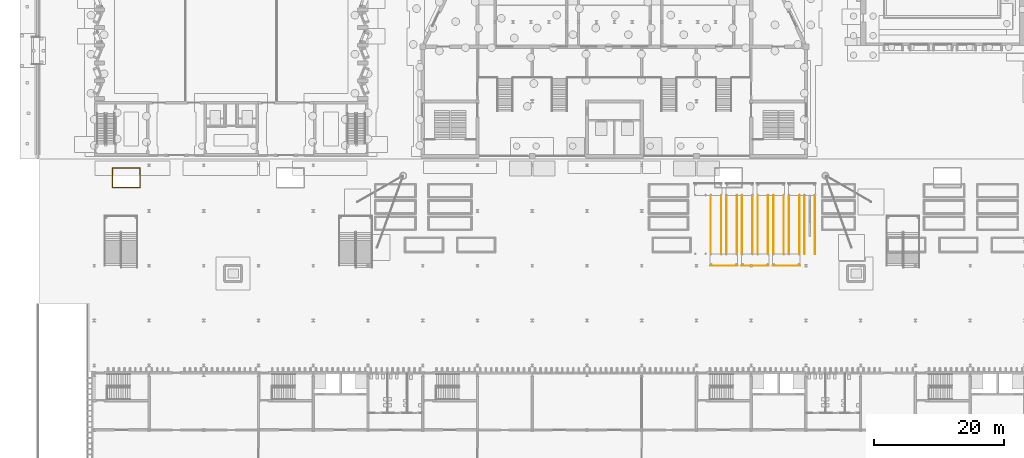
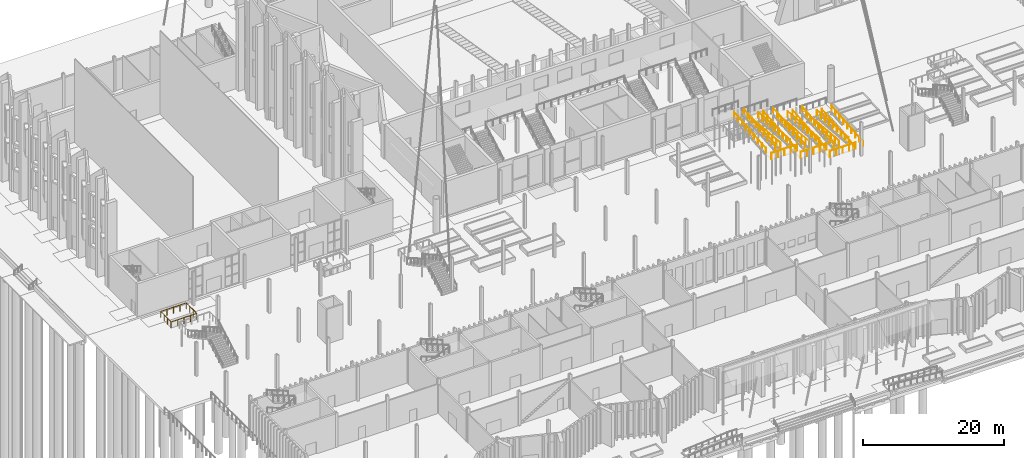
# One storey, part 92 of 108: 18 railings.
"""IFC4 building model written with IfcOpenShell, lengths in metres."""

from ifc_helpers import new_model, si_unit, direction, frame, origin, origin_2d, place, context, subcontext, project, spatial, circle, extrude, material, type_object, element, save


model = new_model("IFC4")

# Units and contexts
model_context = context("Model", 3, precision=1e-05, world=origin(), true_north=direction((0.0, 1.0)))
body_context = subcontext(model_context, "Body", "Model", "MODEL_VIEW")
ifc_project = project(units=[si_unit("LENGTHUNIT", "METRE"), si_unit("AREAUNIT", "SQUARE_METRE"), si_unit("VOLUMEUNIT", "CUBIC_METRE"), si_unit("PLANEANGLEUNIT", "RADIAN"), si_unit("MASSUNIT", "GRAM", prefix="KILO")], contexts=[model_context])

# Site, building, storey
site_placement = place(None, origin())
site = spatial("IfcSite", under=ifc_project, at=site_placement, CompositionType="ELEMENT")
building_placement = place(site_placement, origin())
building = spatial("IfcBuilding", under=site, at=building_placement, Name="Cresset Court Congress Hotel", CompositionType="ELEMENT")
storey_placement = place(building_placement, origin())
storey = spatial("IfcBuildingStorey", under=building, at=storey_placement, Name="L00", CompositionType="ELEMENT", Elevation=0.0)

# Railings
ifc_material_1 = material(Name="Galvanised steel", Category="steel")
railing_type_1 = type_object("IfcRailingType", Name="Guard 1100 steel balusters", PredefinedType="GUARDRAIL", material=ifc_material_1)
railing_1_placement = place(storey_placement, frame((11.199951171875, 54.0, 0.0)))
element("IfcRailing", 1, at=railing_1_placement, inside=storey, type_object=railing_type_1, Name="Well guard 04", PredefinedType="GUARDRAIL", context=body_context, shape_type="SweptSolid", body=[
    extrude(circle(Radius=0.02490234375, at=origin_2d()), frame((0.0, 0.0, 1.0751953125), z_axis=(1.0, 0.0, 0.0), x_axis=(0.0, 1.0, 0.0)), (0.0, 0.0, 1.0), 4.199951171875),
    extrude(circle(Radius=0.02490234375, at=origin_2d()), frame((4.199951171875, 0.0, 1.0751953125), z_axis=(0.0, 1.0, 0.0), x_axis=(-1.0, 0.0, 0.0)), (0.0, 0.0, 1.0), 3.0),
    extrude(circle(Radius=0.02490234375, at=origin_2d()), frame((4.199951171875, 3.0, 1.0751953125), z_axis=(-1.0, 0.0, 0.0), x_axis=(0.0, -1.0, 0.0)), (0.0, 0.0, 1.0), 4.199951171875),
    extrude(circle(Radius=0.02490234375, at=origin_2d()), frame((0.0, 3.0, 1.0751953125), z_axis=(0.0, -1.0, 0.0), x_axis=(1.0, 0.0, 0.0)), (0.0, 0.0, 1.0), 2.93994140625),
    extrude(circle(Radius=0.02001953125, at=origin_2d()), origin(), (0.0, 0.0, 1.0), 1.050048828125),
    extrude(circle(Radius=0.02001953125, at=origin_2d()), frame((1.050048828125, 0.0, 0.0)), (0.0, 0.0, 1.0), 1.050048828125),
    extrude(circle(Radius=0.02001953125, at=origin_2d()), frame((2.10009765625, 0.0, 0.0)), (0.0, 0.0, 1.0), 1.050048828125),
    extrude(circle(Radius=0.02001953125, at=origin_2d()), frame((3.14990234375, 0.0, 0.0)), (0.0, 0.0, 1.0), 1.050048828125),
    extrude(circle(Radius=0.02001953125, at=origin_2d()), frame((4.199951171875, 0.0, 0.0)), (0.0, 0.0, 1.0), 1.050048828125),
    extrude(circle(Radius=0.02001953125, at=origin_2d()), frame((4.199951171875, 1.0, 0.0)), (0.0, 0.0, 1.0), 1.050048828125),
    extrude(circle(Radius=0.02001953125, at=origin_2d()), frame((4.199951171875, 2.0, 0.0)), (0.0, 0.0, 1.0), 1.050048828125),
    extrude(circle(Radius=0.02001953125, at=origin_2d()), frame((4.199951171875, 3.0, 0.0)), (0.0, 0.0, 1.0), 1.050048828125),
    extrude(circle(Radius=0.02001953125, at=origin_2d()), frame((3.14990234375, 3.0, 0.0)), (0.0, 0.0, 1.0), 1.050048828125),
    extrude(circle(Radius=0.02001953125, at=origin_2d()), frame((2.10009765625, 3.0, 0.0)), (0.0, 0.0, 1.0), 1.050048828125),
    extrude(circle(Radius=0.02001953125, at=origin_2d()), frame((1.050048828125, 3.0, 0.0)), (0.0, 0.0, 1.0), 1.050048828125),
    extrude(circle(Radius=0.02001953125, at=origin_2d()), frame((0.0, 3.0, 0.0)), (0.0, 0.0, 1.0), 1.050048828125),
    extrude(circle(Radius=0.02001953125, at=origin_2d()), frame((0.0, 2.02001953125, 0.0)), (0.0, 0.0, 1.0), 1.050048828125),
    extrude(circle(Radius=0.02001953125, at=origin_2d()), frame((0.0, 1.0400390625, 0.0)), (0.0, 0.0, 1.0), 1.050048828125),
    extrude(circle(Radius=0.02001953125, at=origin_2d()), frame((0.0, 0.06005859375, 0.0)), (0.0, 0.0, 1.0), 1.050048828125),
])
railing_2_placement = place(storey_placement, frame((102.89990234375, 42.0, 4.5)))
element("IfcRailing", 2, at=railing_2_placement, inside=storey, type_object=railing_type_1, Name="Ramp landing guard 3", PredefinedType="GUARDRAIL", context=body_context, shape_type="SweptSolid", body=[
    extrude(circle(Radius=0.02490234375, at=origin_2d()), frame((0.0, 0.0, 1.0751953125), z_axis=(1.0, 0.0, 0.0), x_axis=(0.0, 1.0, 0.0)), (0.0, 0.0, 1.0), 4.2001953125),
    extrude(circle(Radius=0.02001953125, at=origin_2d()), origin(), (0.0, 0.0, 1.0), 1.050048828125),
    extrude(circle(Radius=0.02001953125, at=origin_2d()), frame((1.050048828125, 0.0, 0.0)), (0.0, 0.0, 1.0), 1.050048828125),
    extrude(circle(Radius=0.02001953125, at=origin_2d()), frame((2.10009765625, 0.0, 0.0)), (0.0, 0.0, 1.0), 1.050048828125),
    extrude(circle(Radius=0.02001953125, at=origin_2d()), frame((3.150146484375, 0.0, 0.0)), (0.0, 0.0, 1.0), 1.050048828125),
    extrude(circle(Radius=0.02001953125, at=origin_2d()), frame((4.2001953125, 0.0, 0.0)), (0.0, 0.0, 1.0), 1.050048828125),
])
for number, where, name in (
    (3, (107.699951171875, 42.0, 3.0), "Ramp landing guard 5"),
    (4, (112.5, 42.0, 1.5), "Ramp landing guard 7"),
):
    element("IfcRailing", number, at=place(storey_placement, frame(where)), inside=storey, type_object=railing_type_1, Name=name, PredefinedType="GUARDRAIL", context=body_context, shape_type="SweptSolid", body=[
        extrude(circle(Radius=0.02490234375, at=origin_2d()), frame((0.0, 0.0, 1.0751953125), z_axis=(1.0, 0.0, 0.0), x_axis=(0.0, 1.0, 0.0)), (0.0, 0.0, 1.0), 4.199951171875),
        extrude(circle(Radius=0.02001953125, at=origin_2d()), origin(), (0.0, 0.0, 1.0), 1.050048828125),
        extrude(circle(Radius=0.02001953125, at=origin_2d()), frame((1.050048828125, 0.0, 0.0)), (0.0, 0.0, 1.0), 1.050048828125),
        extrude(circle(Radius=0.02001953125, at=origin_2d()), frame((2.10009765625, 0.0, 0.0)), (0.0, 0.0, 1.0), 1.050048828125),
        extrude(circle(Radius=0.02001953125, at=origin_2d()), frame((3.14990234375, 0.0, 0.0)), (0.0, 0.0, 1.0), 1.050048828125),
        extrude(circle(Radius=0.02001953125, at=origin_2d()), frame((4.199951171875, 0.0, 0.0)), (0.0, 0.0, 1.0), 1.050048828125),
    ])
ifc_material_2 = material(Name="Stainless steel", Category="steel")
railing_type_2 = type_object("IfcRailingType", Name="Handrail 900 steel", PredefinedType="HANDRAIL", material=ifc_material_2)
for number, where, name in (
    (5, (103.0, 52.800048828125, 5.25), "Ramp handrail 2L"),
    (6, (104.60009765625, 52.800048828125, 5.25), "Ramp handrail 2R"),
):
    element("IfcRailing", number, at=place(storey_placement, frame(where)), inside=storey, type_object=railing_type_2, Name=name, PredefinedType="HANDRAIL", context=body_context, shape_type="SweptSolid", body=[
        extrude(circle(Radius=0.02490234375, at=origin_2d()), frame((0.0, 0.0, 0.875), z_axis=(0.0, -0.996545758245, -0.083045479854), x_axis=(1.0, 0.0, 0.0)), (0.0, 0.0, 1.0), 9.03125),
        extrude(circle(Radius=0.02001953125, at=origin_2d()), origin(), (0.0, 0.0, 1.0), 0.849853515625),
        extrude(circle(Radius=0.02001953125, at=origin_2d()), frame((0.0, -1.125, -0.09375)), (0.0, 0.0, 1.0), 0.849853515625),
        extrude(circle(Radius=0.02001953125, at=origin_2d()), frame((0.0, -2.25, -0.1875)), (0.0, 0.0, 1.0), 0.849853515625),
        extrude(circle(Radius=0.02001953125, at=origin_2d()), frame((0.0, -3.375, -0.28125)), (0.0, 0.0, 1.0), 0.849853515625),
        extrude(circle(Radius=0.02001953125, at=origin_2d()), frame((0.0, -4.5, -0.375)), (0.0, 0.0, 1.0), 0.849853515625),
        extrude(circle(Radius=0.02001953125, at=origin_2d()), frame((0.0, -5.625, -0.46875)), (0.0, 0.0, 1.0), 0.849853515625),
        extrude(circle(Radius=0.02001953125, at=origin_2d()), frame((0.0, -6.75, -0.5625)), (0.0, 0.0, 1.0), 0.849853515625),
        extrude(circle(Radius=0.02001953125, at=origin_2d()), frame((0.0, -7.875, -0.65625)), (0.0, 0.0, 1.0), 0.849853515625),
        extrude(circle(Radius=0.02001953125, at=origin_2d()), frame((0.0, -9.0, -0.75)), (0.0, 0.0, 1.0), 0.849853515625),
    ])
for number, where, name in (
    (7, (105.39990234375, 43.800048828125, 4.5), "Ramp handrail 3L"),
    (8, (107.0, 43.800048828125, 4.5), "Ramp handrail 3R"),
):
    element("IfcRailing", number, at=place(storey_placement, frame(where)), inside=storey, type_object=railing_type_2, Name=name, PredefinedType="HANDRAIL", context=body_context, shape_type="SweptSolid", body=[
        extrude(circle(Radius=0.02490234375, at=origin_2d()), frame((0.0, 0.0, 0.875), z_axis=(0.0, 0.996545758245, -0.083045479854), x_axis=(-1.0, 0.0, 0.0)), (0.0, 0.0, 1.0), 9.03125),
        extrude(circle(Radius=0.02001953125, at=origin_2d()), origin(), (0.0, 0.0, 1.0), 0.849853515625),
        extrude(circle(Radius=0.02001953125, at=origin_2d()), frame((0.0, 1.125, -0.09375)), (0.0, 0.0, 1.0), 0.849853515625),
        extrude(circle(Radius=0.02001953125, at=origin_2d()), frame((0.0, 2.25, -0.1875)), (0.0, 0.0, 1.0), 0.849853515625),
        extrude(circle(Radius=0.02001953125, at=origin_2d()), frame((0.0, 3.375, -0.28125)), (0.0, 0.0, 1.0), 0.849853515625),
        extrude(circle(Radius=0.02001953125, at=origin_2d()), frame((0.0, 4.5, -0.375)), (0.0, 0.0, 1.0), 0.849853515625),
        extrude(circle(Radius=0.02001953125, at=origin_2d()), frame((0.0, 5.625, -0.46875)), (0.0, 0.0, 1.0), 0.849853515625),
        extrude(circle(Radius=0.02001953125, at=origin_2d()), frame((0.0, 6.75, -0.5625)), (0.0, 0.0, 1.0), 0.849853515625),
        extrude(circle(Radius=0.02001953125, at=origin_2d()), frame((0.0, 7.875, -0.65625)), (0.0, 0.0, 1.0), 0.849853515625),
        extrude(circle(Radius=0.02001953125, at=origin_2d()), frame((0.0, 9.0, -0.75)), (0.0, 0.0, 1.0), 0.849853515625),
    ])
for number, where, name in (
    (9, (107.800048828125, 52.800048828125, 3.75), "Ramp handrail 4L"),
    (10, (109.39990234375, 52.800048828125, 3.75), "Ramp handrail 4R"),
):
    element("IfcRailing", number, at=place(storey_placement, frame(where)), inside=storey, type_object=railing_type_2, Name=name, PredefinedType="HANDRAIL", context=body_context, shape_type="SweptSolid", body=[
        extrude(circle(Radius=0.02490234375, at=origin_2d()), frame((0.0, 0.0, 0.875), z_axis=(0.0, -0.996545758245, -0.083045479854), x_axis=(1.0, 0.0, 0.0)), (0.0, 0.0, 1.0), 9.03125),
        extrude(circle(Radius=0.02001953125, at=origin_2d()), origin(), (0.0, 0.0, 1.0), 0.849853515625),
        extrude(circle(Radius=0.02001953125, at=origin_2d()), frame((0.0, -1.125, -0.09375)), (0.0, 0.0, 1.0), 0.849853515625),
        extrude(circle(Radius=0.02001953125, at=origin_2d()), frame((0.0, -2.25, -0.1875)), (0.0, 0.0, 1.0), 0.849853515625),
        extrude(circle(Radius=0.02001953125, at=origin_2d()), frame((0.0, -3.375, -0.28125)), (0.0, 0.0, 1.0), 0.849853515625),
        extrude(circle(Radius=0.02001953125, at=origin_2d()), frame((0.0, -4.5, -0.375)), (0.0, 0.0, 1.0), 0.849853515625),
        extrude(circle(Radius=0.02001953125, at=origin_2d()), frame((0.0, -5.625, -0.46875)), (0.0, 0.0, 1.0), 0.849853515625),
        extrude(circle(Radius=0.02001953125, at=origin_2d()), frame((0.0, -6.75, -0.5625)), (0.0, 0.0, 1.0), 0.849853515625),
        extrude(circle(Radius=0.02001953125, at=origin_2d()), frame((0.0, -7.875, -0.65625)), (0.0, 0.0, 1.0), 0.849853515625),
        extrude(circle(Radius=0.02001953125, at=origin_2d()), frame((0.0, -9.0, -0.75)), (0.0, 0.0, 1.0), 0.849853515625),
    ])
for number, where, name in (
    (11, (110.199951171875, 43.800048828125, 3.0), "Ramp handrail 5L"),
    (12, (111.800048828125, 43.800048828125, 3.0), "Ramp handrail 5R"),
):
    element("IfcRailing", number, at=place(storey_placement, frame(where)), inside=storey, type_object=railing_type_2, Name=name, PredefinedType="HANDRAIL", context=body_context, shape_type="SweptSolid", body=[
        extrude(circle(Radius=0.02490234375, at=origin_2d()), frame((0.0, 0.0, 0.875), z_axis=(0.0, 0.996545758245, -0.083045479854), x_axis=(-1.0, 0.0, 0.0)), (0.0, 0.0, 1.0), 9.03125),
        extrude(circle(Radius=0.02001953125, at=origin_2d()), origin(), (0.0, 0.0, 1.0), 0.849853515625),
        extrude(circle(Radius=0.02001953125, at=origin_2d()), frame((0.0, 1.125, -0.09375)), (0.0, 0.0, 1.0), 0.849853515625),
        extrude(circle(Radius=0.02001953125, at=origin_2d()), frame((0.0, 2.25, -0.1875)), (0.0, 0.0, 1.0), 0.849853515625),
        extrude(circle(Radius=0.02001953125, at=origin_2d()), frame((0.0, 3.375, -0.28125)), (0.0, 0.0, 1.0), 0.849853515625),
        extrude(circle(Radius=0.02001953125, at=origin_2d()), frame((0.0, 4.5, -0.375)), (0.0, 0.0, 1.0), 0.849853515625),
        extrude(circle(Radius=0.02001953125, at=origin_2d()), frame((0.0, 5.625, -0.46875)), (0.0, 0.0, 1.0), 0.849853515625),
        extrude(circle(Radius=0.02001953125, at=origin_2d()), frame((0.0, 6.75, -0.5625)), (0.0, 0.0, 1.0), 0.849853515625),
        extrude(circle(Radius=0.02001953125, at=origin_2d()), frame((0.0, 7.875, -0.65625)), (0.0, 0.0, 1.0), 0.849853515625),
        extrude(circle(Radius=0.02001953125, at=origin_2d()), frame((0.0, 9.0, -0.75)), (0.0, 0.0, 1.0), 0.849853515625),
    ])
for number, where, name in (
    (13, (112.60009765625, 52.800048828125, 2.25), "Ramp handrail 6L"),
    (14, (114.199951171875, 52.800048828125, 2.25), "Ramp handrail 6R"),
):
    element("IfcRailing", number, at=place(storey_placement, frame(where)), inside=storey, type_object=railing_type_2, Name=name, PredefinedType="HANDRAIL", context=body_context, shape_type="SweptSolid", body=[
        extrude(circle(Radius=0.02490234375, at=origin_2d()), frame((0.0, 0.0, 0.875), z_axis=(0.0, -0.996545758245, -0.083045479854), x_axis=(1.0, 0.0, 0.0)), (0.0, 0.0, 1.0), 9.03125),
        extrude(circle(Radius=0.02001953125, at=origin_2d()), origin(), (0.0, 0.0, 1.0), 0.849853515625),
        extrude(circle(Radius=0.02001953125, at=origin_2d()), frame((0.0, -1.125, -0.09375)), (0.0, 0.0, 1.0), 0.849853515625),
        extrude(circle(Radius=0.02001953125, at=origin_2d()), frame((0.0, -2.25, -0.1875)), (0.0, 0.0, 1.0), 0.849853515625),
        extrude(circle(Radius=0.02001953125, at=origin_2d()), frame((0.0, -3.375, -0.28125)), (0.0, 0.0, 1.0), 0.849853515625),
        extrude(circle(Radius=0.02001953125, at=origin_2d()), frame((0.0, -4.5, -0.375)), (0.0, 0.0, 1.0), 0.849853515625),
        extrude(circle(Radius=0.02001953125, at=origin_2d()), frame((0.0, -5.625, -0.46875)), (0.0, 0.0, 1.0), 0.849853515625),
        extrude(circle(Radius=0.02001953125, at=origin_2d()), frame((0.0, -6.75, -0.5625)), (0.0, 0.0, 1.0), 0.849853515625),
        extrude(circle(Radius=0.02001953125, at=origin_2d()), frame((0.0, -7.875, -0.65625)), (0.0, 0.0, 1.0), 0.849853515625),
        extrude(circle(Radius=0.02001953125, at=origin_2d()), frame((0.0, -9.0, -0.75)), (0.0, 0.0, 1.0), 0.849853515625),
    ])
for number, where, name in (
    (15, (115.0, 43.800048828125, 1.5), "Ramp handrail 7L"),
    (16, (116.60009765625, 43.800048828125, 1.5), "Ramp handrail 7R"),
):
    element("IfcRailing", number, at=place(storey_placement, frame(where)), inside=storey, type_object=railing_type_2, Name=name, PredefinedType="HANDRAIL", context=body_context, shape_type="SweptSolid", body=[
        extrude(circle(Radius=0.02490234375, at=origin_2d()), frame((0.0, 0.0, 0.875), z_axis=(0.0, 0.996545758245, -0.083045479854), x_axis=(-1.0, 0.0, 0.0)), (0.0, 0.0, 1.0), 9.03125),
        extrude(circle(Radius=0.02001953125, at=origin_2d()), origin(), (0.0, 0.0, 1.0), 0.849853515625),
        extrude(circle(Radius=0.02001953125, at=origin_2d()), frame((0.0, 1.125, -0.09375)), (0.0, 0.0, 1.0), 0.849853515625),
        extrude(circle(Radius=0.02001953125, at=origin_2d()), frame((0.0, 2.25, -0.1875)), (0.0, 0.0, 1.0), 0.849853515625),
        extrude(circle(Radius=0.02001953125, at=origin_2d()), frame((0.0, 3.375, -0.28125)), (0.0, 0.0, 1.0), 0.849853515625),
        extrude(circle(Radius=0.02001953125, at=origin_2d()), frame((0.0, 4.5, -0.375)), (0.0, 0.0, 1.0), 0.849853515625),
        extrude(circle(Radius=0.02001953125, at=origin_2d()), frame((0.0, 5.625, -0.46875)), (0.0, 0.0, 1.0), 0.849853515625),
        extrude(circle(Radius=0.02001953125, at=origin_2d()), frame((0.0, 6.75, -0.5625)), (0.0, 0.0, 1.0), 0.849853515625),
        extrude(circle(Radius=0.02001953125, at=origin_2d()), frame((0.0, 7.875, -0.65625)), (0.0, 0.0, 1.0), 0.849853515625),
        extrude(circle(Radius=0.02001953125, at=origin_2d()), frame((0.0, 9.0, -0.75)), (0.0, 0.0, 1.0), 0.849853515625),
    ])
for number, where, name in (
    (17, (117.39990234375, 52.800048828125, 0.75), "Ramp handrail 8L"),
    (18, (119.0, 52.800048828125, 0.75), "Ramp handrail 8R"),
):
    element("IfcRailing", number, at=place(storey_placement, frame(where)), inside=storey, type_object=railing_type_2, Name=name, PredefinedType="HANDRAIL", context=body_context, shape_type="SweptSolid", body=[
        extrude(circle(Radius=0.02490234375, at=origin_2d()), frame((0.0, 0.0, 0.875), z_axis=(0.0, -0.996545758245, -0.083045479854), x_axis=(1.0, 0.0, 0.0)), (0.0, 0.0, 1.0), 9.03125),
        extrude(circle(Radius=0.02001953125, at=origin_2d()), origin(), (0.0, 0.0, 1.0), 0.849853515625),
        extrude(circle(Radius=0.02001953125, at=origin_2d()), frame((0.0, -1.125, -0.09375)), (0.0, 0.0, 1.0), 0.849853515625),
        extrude(circle(Radius=0.02001953125, at=origin_2d()), frame((0.0, -2.25, -0.1875)), (0.0, 0.0, 1.0), 0.849853515625),
        extrude(circle(Radius=0.02001953125, at=origin_2d()), frame((0.0, -3.375, -0.28125)), (0.0, 0.0, 1.0), 0.849853515625),
        extrude(circle(Radius=0.02001953125, at=origin_2d()), frame((0.0, -4.5, -0.375)), (0.0, 0.0, 1.0), 0.849853515625),
        extrude(circle(Radius=0.02001953125, at=origin_2d()), frame((0.0, -5.625, -0.46875)), (0.0, 0.0, 1.0), 0.849853515625),
        extrude(circle(Radius=0.02001953125, at=origin_2d()), frame((0.0, -6.75, -0.5625)), (0.0, 0.0, 1.0), 0.849853515625),
        extrude(circle(Radius=0.02001953125, at=origin_2d()), frame((0.0, -7.875, -0.65625)), (0.0, 0.0, 1.0), 0.849853515625),
        extrude(circle(Radius=0.02001953125, at=origin_2d()), frame((0.0, -9.0, -0.75)), (0.0, 0.0, 1.0), 0.849853515625),
    ])

save(model, "model.ifc")
